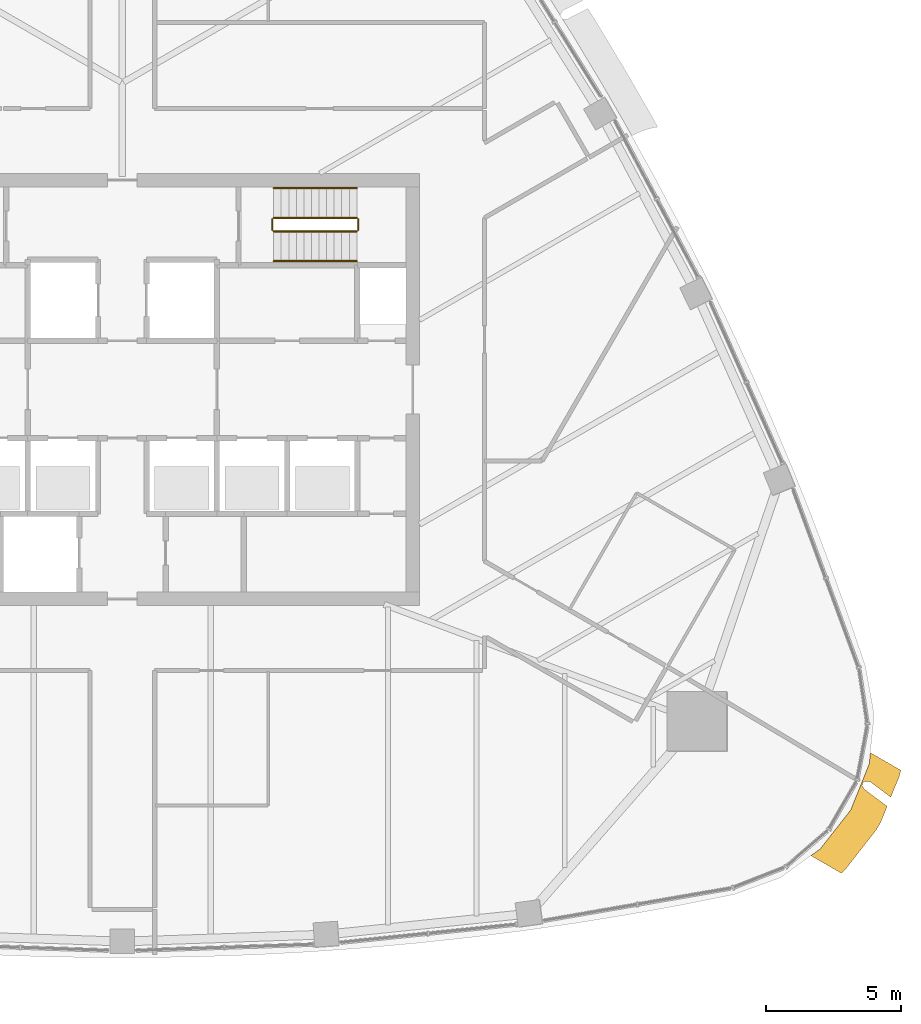
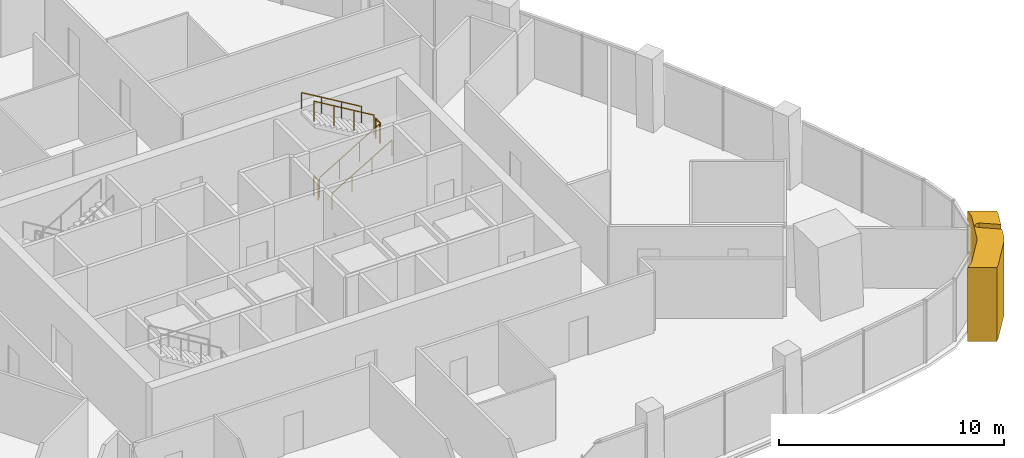
# One storey, part 13 of 15: 6 railings, 1 covering.
"""IFC4 building model written with IfcOpenShell, lengths in metres."""

from ifc_helpers import new_model, si_unit, direction, frame, origin, origin_2d, place, context, subcontext, project, spatial, polyline, circle, outline, extrude, material, layer, layer_set, type_object, element, save


model = new_model("IFC4")

# Units and contexts
model_context = context("Model", 3, precision=1e-05, world=origin(), true_north=direction((0.0, 1.0)))
body_context = subcontext(model_context, "Body", "Model", "MODEL_VIEW")
ifc_project = project(units=[si_unit("LENGTHUNIT", "METRE"), si_unit("AREAUNIT", "SQUARE_METRE"), si_unit("VOLUMEUNIT", "CUBIC_METRE"), si_unit("PLANEANGLEUNIT", "RADIAN"), si_unit("MASSUNIT", "GRAM", prefix="KILO")], contexts=[model_context])

# Site, building, storey
site_placement = place(None, origin())
site = spatial("IfcSite", under=ifc_project, at=site_placement, CompositionType="ELEMENT")
building_placement = place(site_placement, origin())
building = spatial("IfcBuilding", under=site, at=building_placement, Name="Sierra Prisma Convention Tower", CompositionType="ELEMENT")
storey_placement = place(building_placement, frame((0.0, 0.0, 267.0)))
storey = spatial("IfcBuildingStorey", under=building, at=storey_placement, Name="L60", CompositionType="ELEMENT", Elevation=267.0)

# Covering
ifc_material_1 = material(Name="Aluminium composite bronze anodised", Category="aluminium")
ifc_layer = layer(ifc_material_1, 1.199951171875)
ifc_layer_set = layer_set([ifc_layer], Name="Bronze corner pier")
covering_type = type_object("IfcCoveringType", Name="Bronze corner pier", PredefinedType="CLADDING", material=ifc_layer_set)
covering_placement = place(storey_placement, frame((0.0, 0.0, -0.60009765625)))
element("IfcCovering", 1, at=covering_placement, inside=storey, type_object=covering_type, Name="Corner pier SE L60.1", PredefinedType="CLADDING", context=body_context, shape_type="SweptSolid", body=[
    extrude(outline(polyline([(27.656494140625, -14.5048828125), (27.65185546875, -14.5029296875), (27.647216796875, -14.501708984375), (27.64208984375, -14.50048828125), (27.63720703125, -14.5), (27.63232421875, -14.5), (27.464599609375, -14.5087890625), (27.459716796875, -14.50927734375), (27.455078125, -14.510009765625), (27.45068359375, -14.511474609375), (27.4462890625, -14.51318359375), (27.44189453125, -14.515380859375), (27.43798828125, -14.51806640625), (27.434326171875, -14.52099609375), (27.430908203125, -14.524169921875), (27.427734375, -14.527587890625), (27.425048828125, -14.531494140625), (27.422607421875, -14.53564453125), (27.420654296875, -14.5400390625), (27.38330078125, -14.6328125), (27.381591796875, -14.637451171875), (27.380615234375, -14.64208984375), (27.3798828125, -14.647216796875), (27.379638671875, -14.652099609375), (27.3798828125, -14.656982421875), (27.380859375, -14.661865234375), (27.382080078125, -14.666748046875), (27.3837890625, -14.67138671875), (27.385986328125, -14.67578125), (27.44091796875, -14.774169921875), (27.443603515625, -14.778564453125), (27.44677734375, -14.78271484375), (27.450439453125, -14.786376953125), (27.454345703125, -14.789794921875), (28.303466796875, -15.4287109375), (28.068359375, -16.01171875), (27.900634765625, -16.302001953125), (26.7734375, -17.742919921875), (26.60791015625, -17.90234375), (25.4833984375, -17.253173828125), (25.828369140625, -17.00341796875), (26.955322265625, -15.562744140625), (27.6396484375, -13.8662109375), (27.683349609375, -13.442626953125), (28.807861328125, -14.091796875), (28.75244140625, -14.315185546875), (28.43896484375, -15.092529296875), (27.664794921875, -14.510009765625), (27.660888671875, -14.50732421875), (27.656494140625, -14.5048828125)])), origin(), (0.0, 0.0, 1.0), 4.0),
])

# Railings
ifc_material_2 = material(Name="Stainless steel", Category="steel")
railing_type_1 = type_object("IfcRailingType", Name="Exit stair handrail", PredefinedType="HANDRAIL", material=ifc_material_2)
railing_1_placement = place(storey_placement, frame((5.60009765625, 4.75, 0.166748046875)))
element("IfcRailing", 2, at=railing_1_placement, inside=storey, type_object=railing_type_1, Name="L60 S4 stair handrail 1", PredefinedType="HANDRAIL", context=body_context, shape_type="SweptSolid", body=[
    extrude(circle(Radius=0.02392578125, at=origin_2d()), frame((0.0, 0.0, 0.8759765625), z_axis=(0.859290745958, 0.0, 0.51148745235), x_axis=(0.0, 1.0, 0.0)), (0.0, 0.0, 1.0), 3.584228515625),
    extrude(circle(Radius=0.02099609375, at=origin_2d()), origin(), (0.0, 0.0, 1.0), 0.851806640625),
    extrude(circle(Radius=0.02099609375, at=origin_2d()), frame((1.026611328125, 0.0, 0.611083984375)), (0.0, 0.0, 1.0), 0.851806640625),
    extrude(circle(Radius=0.02099609375, at=origin_2d()), frame((2.05322265625, 0.0, 1.22216796875)), (0.0, 0.0, 1.0), 0.851806640625),
    extrude(circle(Radius=0.02099609375, at=origin_2d()), frame((3.079833984375, 0.0, 1.833251953125)), (0.0, 0.0, 1.0), 0.851806640625),
])
railing_2_placement = place(storey_placement, frame((8.679931640625, 7.449951171875, 2.166748046875)))
element("IfcRailing", 3, at=railing_2_placement, inside=storey, type_object=railing_type_1, Name="L60 S4 stair handrail 2", PredefinedType="HANDRAIL", context=body_context, shape_type="SweptSolid", body=[
    extrude(circle(Radius=0.02392578125, at=origin_2d()), frame((0.0, 0.0, 0.8759765625), z_axis=(-0.859290745958, 0.0, 0.51148745235), x_axis=(0.0, -1.0, 0.0)), (0.0, 0.0, 1.0), 3.584228515625),
    extrude(circle(Radius=0.02099609375, at=origin_2d()), origin(), (0.0, 0.0, 1.0), 0.851806640625),
    extrude(circle(Radius=0.02099609375, at=origin_2d()), frame((-1.026611328125, 0.0, 0.611083984375)), (0.0, 0.0, 1.0), 0.851806640625),
    extrude(circle(Radius=0.02099609375, at=origin_2d()), frame((-2.05322265625, 0.0, 1.22216796875)), (0.0, 0.0, 1.0), 0.851806640625),
    extrude(circle(Radius=0.02099609375, at=origin_2d()), frame((-3.079833984375, 0.0, 1.833251953125)), (0.0, 0.0, 1.0), 0.851806640625),
])
ifc_material_3 = material(Name="Stainless steel", Category="steel")
railing_type_2 = type_object("IfcRailingType", Name="Stair guard 1100", PredefinedType="GUARDRAIL", material=ifc_material_3)
railing_3_placement = place(storey_placement, frame((5.60009765625, 5.85009765625, 0.166748046875)))
element("IfcRailing", 4, at=railing_3_placement, inside=storey, type_object=railing_type_2, Name="L60 S4 stair guard 1", PredefinedType="GUARDRAIL", context=body_context, shape_type="SweptSolid", body=[
    extrude(circle(Radius=0.02392578125, at=origin_2d()), frame((0.0, 0.0, 1.076171875), z_axis=(0.859290745958, 0.0, 0.51148745235), x_axis=(0.0, 1.0, 0.0)), (0.0, 0.0, 1.0), 3.584228515625),
    extrude(circle(Radius=0.02099609375, at=origin_2d()), origin(), (0.0, 0.0, 1.0), 1.052001953125),
    extrude(circle(Radius=0.02099609375, at=origin_2d()), frame((1.026611328125, 0.0, 0.611083984375)), (0.0, 0.0, 1.0), 1.052001953125),
    extrude(circle(Radius=0.02099609375, at=origin_2d()), frame((2.05322265625, 0.0, 1.22216796875)), (0.0, 0.0, 1.0), 1.052001953125),
    extrude(circle(Radius=0.02099609375, at=origin_2d()), frame((3.079833984375, 0.0, 1.833251953125)), (0.0, 0.0, 1.0), 1.052001953125),
])
railing_4_placement = place(storey_placement, frame((8.72998046875, 5.89990234375, 2.0)))
element("IfcRailing", 5, at=railing_4_placement, inside=storey, type_object=railing_type_2, Name="L60 S4 stair guard 2", PredefinedType="GUARDRAIL", context=body_context, shape_type="SweptSolid", body=[
    extrude(circle(Radius=0.02392578125, at=origin_2d()), frame((0.0, 0.0, 1.076171875), z_axis=(0.0, 1.0, 0.0), x_axis=(-1.0, 0.0, 0.0)), (0.0, 0.0, 1.0), 0.400146484375),
    extrude(circle(Radius=0.02099609375, at=origin_2d()), origin(), (0.0, 0.0, 1.0), 1.052001953125),
    extrude(circle(Radius=0.02099609375, at=origin_2d()), frame((0.0, 0.400146484375, 0.0)), (0.0, 0.0, 1.0), 1.052001953125),
])
railing_5_placement = place(storey_placement, frame((8.679931640625, 6.35009765625, 2.166748046875)))
element("IfcRailing", 6, at=railing_5_placement, inside=storey, type_object=railing_type_2, Name="L60 S4 stair guard 3", PredefinedType="GUARDRAIL", context=body_context, shape_type="SweptSolid", body=[
    extrude(circle(Radius=0.02392578125, at=origin_2d()), frame((0.0, 0.0, 1.076171875), z_axis=(-0.859290745958, 0.0, 0.51148745235), x_axis=(0.0, -1.0, 0.0)), (0.0, 0.0, 1.0), 3.584228515625),
    extrude(circle(Radius=0.02099609375, at=origin_2d()), origin(), (0.0, 0.0, 1.0), 1.052001953125),
    extrude(circle(Radius=0.02099609375, at=origin_2d()), frame((-1.026611328125, 0.0, 0.611083984375)), (0.0, 0.0, 1.0), 1.052001953125),
    extrude(circle(Radius=0.02099609375, at=origin_2d()), frame((-2.05322265625, 0.0, 1.22216796875)), (0.0, 0.0, 1.0), 1.052001953125),
    extrude(circle(Radius=0.02099609375, at=origin_2d()), frame((-3.079833984375, 0.0, 1.833251953125)), (0.0, 0.0, 1.0), 1.052001953125),
])
railing_6_placement = place(storey_placement, frame((5.550048828125, 5.89990234375, 0.0)))
element("IfcRailing", 7, at=railing_6_placement, inside=storey, type_object=railing_type_2, Name="L60 S4 stair guard 4", PredefinedType="GUARDRAIL", context=body_context, shape_type="SweptSolid", body=[
    extrude(circle(Radius=0.02392578125, at=origin_2d()), frame((0.0, 0.0, 1.076171875), z_axis=(0.0, 1.0, 0.0), x_axis=(-1.0, 0.0, 0.0)), (0.0, 0.0, 1.0), 0.400146484375),
    extrude(circle(Radius=0.02099609375, at=origin_2d()), origin(), (0.0, 0.0, 1.0), 1.052001953125),
    extrude(circle(Radius=0.02099609375, at=origin_2d()), frame((0.0, 0.400146484375, 0.0)), (0.0, 0.0, 1.0), 1.052001953125),
])

save(model, "model.ifc")
